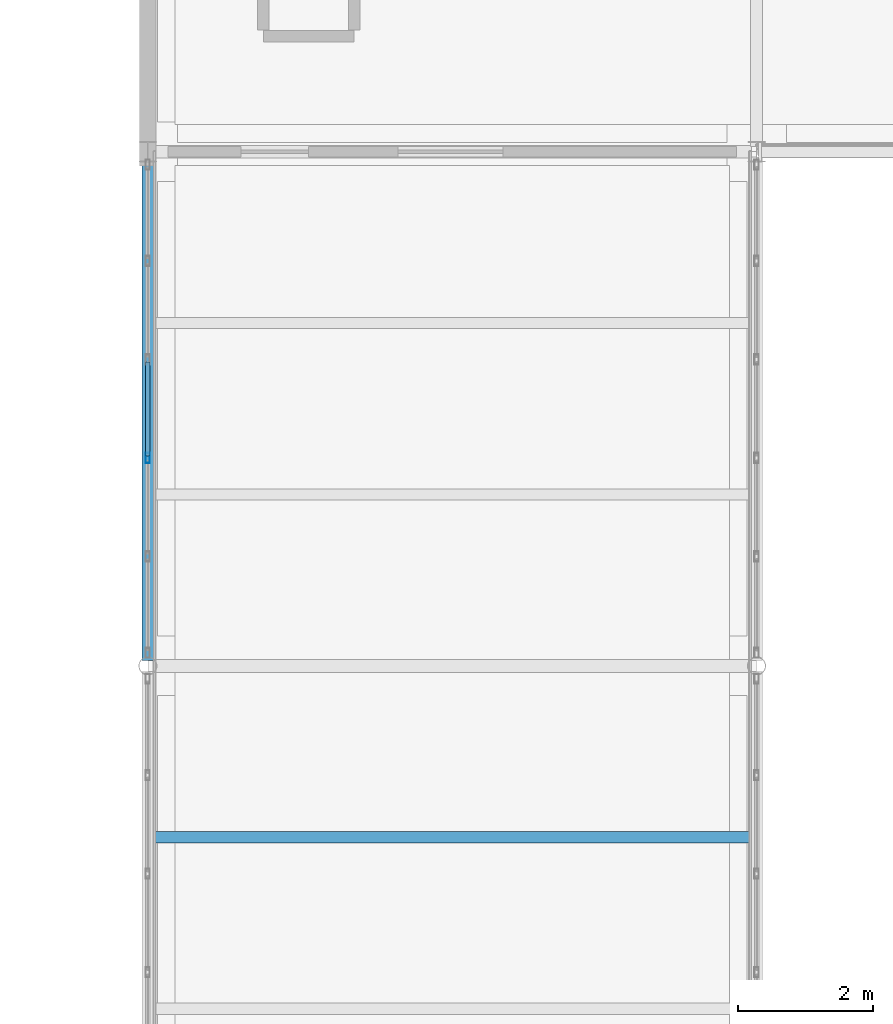
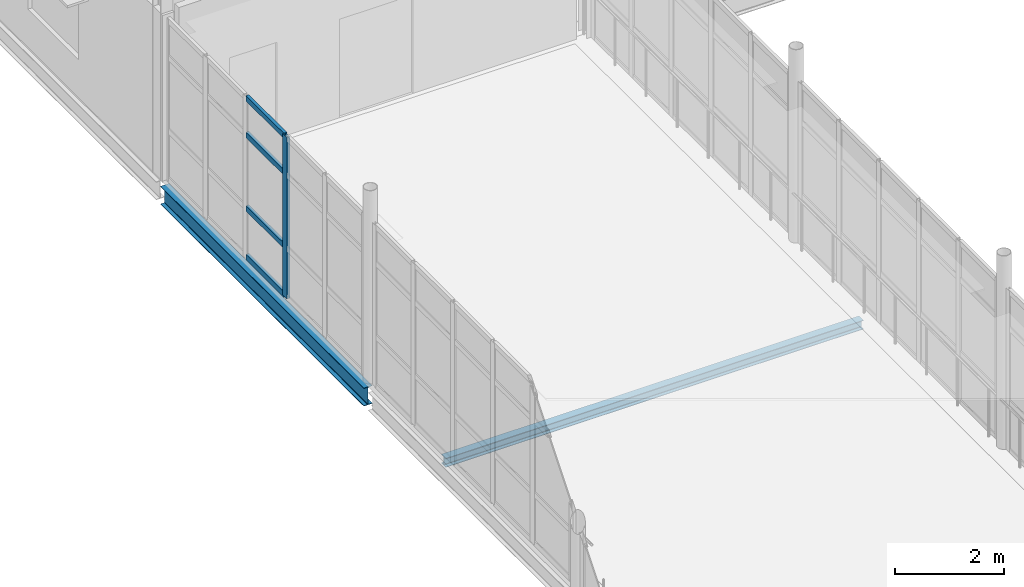
# One storey, part 73 of 174: 5 members, 2 beams, 1 element without a shape of its own.
"""IFC4 building model written with IfcOpenShell, lengths in metres."""

import ifcopenshell
import ifcopenshell.guid

model = None  # the IFC model being written
_history = None  # IfcOwnerHistory: only IFC2X3 demands one
_inside = {}  # id of a spatial element -> (the spatial element, [elements in it])
_under = {}  # id of a project, library or spatial element -> (it, [spatial elements below it])
_declared = {}  # id of a project -> (the project, [libraries it declares])
_typed = {}  # id of a type object -> (the type object, [elements of that type])
_made_of = {}  # id of a material, layer set ... -> (it, [elements and type objects made of it])


def new_model(schema):
    """Start an empty IFC model of exactly this schema.

    Asked for "IFC4X3", IfcOpenShell would pick the latest addendum, in which some entities
    have other attributes; the version numbers below select the first issue.
    IFC2X3 requires an IfcOwnerHistory on every rooted entity: one is made here for all.
    """
    global model, _history
    if schema == "IFC4X3":
        model = ifcopenshell.file(schema_version=(4, 3, 0, 0))
    else:
        model = ifcopenshell.file(schema=schema)
    _inside.clear()
    _under.clear()
    _declared.clear()
    _typed.clear()
    _made_of.clear()
    _history = None
    if model.schema == "IFC2X3":
        org = make("IfcOrganization", Name="unknown")
        user = make(
            "IfcPersonAndOrganization",
            ThePerson=make("IfcPerson", FamilyName="unknown"),
            TheOrganization=org,
        )
        app = make(
            "IfcApplication",
            ApplicationDeveloper=org,
            Version="unknown",
            ApplicationFullName="unknown",
            ApplicationIdentifier="unknown",
        )
        _history = make(
            "IfcOwnerHistory",
            OwningUser=user,
            OwningApplication=app,
            ChangeAction="ADDED",
            CreationDate=0,
        )
    return model


def make(cls, **values):
    """One entity of the class cls with the attributes given. An attribute that is None is left unset."""
    return model.create_entity(
        cls, **{name: value for name, value in values.items() if value is not None}
    )


def rooted(cls, **values):
    """An entity with a GlobalId (a new one), such as an element, a storey or a relation."""
    return make(cls, GlobalId=ifcopenshell.guid.new(), OwnerHistory=_history, **values)


def si_unit(unit_type, name, prefix=None):
    """IfcSIUnit, for example si_unit("LENGTHUNIT", "METRE", prefix="MILLI")."""
    return make("IfcSIUnit", UnitType=unit_type, Prefix=prefix, Name=name)


def assignment(units):
    """IfcUnitAssignment: the units of a project."""
    return None if units is None else make("IfcUnitAssignment", Units=units)


def point(xyz):
    """IfcCartesianPoint."""
    return None if xyz is None else make("IfcCartesianPoint", Coordinates=xyz)


def direction(xyz):
    """IfcDirection."""
    return None if xyz is None else make("IfcDirection", DirectionRatios=xyz)


def frame(location, z_axis=None, x_axis=None):
    """IfcAxis2Placement3D, a coordinate frame: its origin and axes. An axis left out is left unset."""
    return make(
        "IfcAxis2Placement3D",
        Location=point(location),
        Axis=direction(z_axis),
        RefDirection=direction(x_axis),
    )


def frame_2d(location, x_axis=None):
    """IfcAxis2Placement2D, a coordinate frame in the plane: its origin and x axis."""
    return make(
        "IfcAxis2Placement2D", Location=point(location), RefDirection=direction(x_axis)
    )


def origin():
    """The frame at (0, 0, 0) with its axes left unset."""
    return frame((0.0, 0.0, 0.0))


def origin_2d():
    """The frame at (0, 0) in the plane with its x axis left unset."""
    return frame_2d((0.0, 0.0))


def place(relative_to, where):
    """IfcLocalPlacement: puts the frame where relative to a parent placement (None: the world)."""
    return make(
        "IfcLocalPlacement", PlacementRelTo=relative_to, RelativePlacement=where
    )


def context(
    kind, dimensions, precision=None, world=None, true_north=None, identifier=None
):
    """IfcGeometricRepresentationContext, for example the 3D "Model" context."""
    return make(
        "IfcGeometricRepresentationContext",
        ContextIdentifier=identifier,
        ContextType=kind,
        CoordinateSpaceDimension=dimensions,
        Precision=precision,
        WorldCoordinateSystem=world,
        TrueNorth=true_north,
    )


def subcontext(parent, identifier, kind, view, scale=None):
    """IfcGeometricRepresentationSubContext, for example "Body" below "Model"."""
    return make(
        "IfcGeometricRepresentationSubContext",
        ContextIdentifier=identifier,
        ContextType=kind,
        ParentContext=parent,
        TargetScale=scale,
        TargetView=view,
    )


def project(units=None, contexts=None):
    """IfcProject with its units and contexts."""
    return rooted(
        "IfcProject",
        Name="project",
        RepresentationContexts=contexts,
        UnitsInContext=assignment(units),
    )


def spatial(cls, under=None, at=None, **own):
    """A site, building, storey or space (cls), placed at a placement, below another one or the project."""
    s = rooted(cls, ObjectPlacement=at, **own)
    if under is not None:
        _under.setdefault(under.id(), (under, []))[1].append(s)
    return s


def profile(cls, at=None, kind="AREA", **sizes):
    """A parametric profile (cls). Its sizes go by their IFC names, for example OverallWidth=200.0."""
    return make(cls, ProfileType=kind, Position=at, **sizes)


def hollow_rectangle(**sizes):
    """IfcRectangleHollowProfileDef."""
    return profile("IfcRectangleHollowProfileDef", **sizes)


def i_section(**sizes):
    """IfcIShapeProfileDef."""
    return profile("IfcIShapeProfileDef", **sizes)


def extrude(swept, where, along, depth):
    """IfcExtrudedAreaSolid: the profile swept, set in the frame where, extruded along a direction by depth."""
    return make(
        "IfcExtrudedAreaSolid",
        SweptArea=swept,
        Position=where,
        ExtrudedDirection=direction(along),
        Depth=depth,
    )


def shape(context_of_items, identifier, shape_type, items):
    """IfcShapeRepresentation: the items that make up one representation, for example the "Body"."""
    return make(
        "IfcShapeRepresentation",
        ContextOfItems=context_of_items,
        RepresentationIdentifier=identifier,
        RepresentationType=shape_type,
        Items=items,
    )


def material(Name=None, Category=None):
    """IfcMaterial."""
    return make("IfcMaterial", Name=Name, Category=Category)


def material_profile(
    of_material, cross_section, Name=None, Category=None, Priority=None
):
    """IfcMaterialProfile: a cross section and its material."""
    return make(
        "IfcMaterialProfile",
        Name=Name,
        Material=of_material,
        Profile=cross_section,
        Priority=Priority,
        Category=Category,
    )


def profile_set(profiles, Name=None, composite=None):
    """IfcMaterialProfileSet."""
    return make(
        "IfcMaterialProfileSet",
        Name=Name,
        MaterialProfiles=profiles,
        CompositeProfile=composite,
    )


def made_of(thing, what):
    """Note that an element or type object is made of a material, layer set ...; save() writes the relation."""
    if what is not None:
        _made_of.setdefault(what.id(), (what, []))[1].append(thing)
    return thing


def type_object(cls, material=None, **own):
    """A type object (cls), such as IfcWallType, which elements share."""
    return made_of(rooted(cls, **own), material)


def element(
    cls,
    number,
    at=None,
    inside=None,
    cuts=None,
    type_object=None,
    material=None,
    context=None,
    identifier="Body",
    shape_type=None,
    held_by="IfcProductDefinitionShape",
    body=None,
    shapes=None,
    **own,
):
    """One element of the class cls, such as IfcWall. Its Tag is "e" and its number.

    at: its placement. inside: the storey or other place that contains it. cuts: it is an
    opening in that element (IfcRelVoidsElement). A single representation is given by context,
    identifier, shape_type and body (its items); several are given by shapes. held_by: the class
    of the entity that holds the representations. save() writes the other relations.
    """
    e = rooted(cls, Tag="e%d" % number, ObjectPlacement=at, **own)
    if body is not None:
        shapes = [shape(context, identifier, shape_type, body)]
    if shapes is not None:
        e.Representation = make(held_by, Representations=shapes)
    if inside is not None:
        _inside.setdefault(inside.id(), (inside, []))[1].append(e)
    if cuts is not None:
        rooted(
            "IfcRelVoidsElement", RelatingBuildingElement=cuts, RelatedOpeningElement=e
        )
    if type_object is not None:
        _typed.setdefault(type_object.id(), (type_object, []))[1].append(e)
    return made_of(e, material)


def aggregate(whole, parts):
    """IfcRelAggregates: a whole, such as a stair, and the parts it consists of."""
    return rooted("IfcRelAggregates", RelatingObject=whole, RelatedObjects=parts)


def save(model, path):
    """Write the relations noted so far, then the file.

    IfcRelAggregates (storeys below a building ...), IfcRelContainedInSpatialStructure (elements
    in a storey), IfcRelDefinesByType, IfcRelAssociatesMaterial and IfcRelDeclares: one each for
    every whole, place, type object, material and project.
    """
    for whole, parts in _under.values():
        aggregate(whole, parts)
    for where, things in _inside.values():
        rooted(
            "IfcRelContainedInSpatialStructure",
            RelatedElements=things,
            RelatingStructure=where,
        )
    for kind, things in _typed.values():
        rooted("IfcRelDefinesByType", RelatedObjects=things, RelatingType=kind)
    for what, things in _made_of.values():
        rooted("IfcRelAssociatesMaterial", RelatedObjects=things, RelatingMaterial=what)
    for by, libraries in _declared.values():
        rooted("IfcRelDeclares", RelatingContext=by, RelatedDefinitions=libraries)
    model.write(path)


model = new_model("IFC4")

# Units and contexts
model_context = context("Model", 3, precision=1e-05, world=origin(), true_north=direction((0.0, 1.0)))
body_context = subcontext(model_context, "Body", "Model", "MODEL_VIEW")
ifc_project = project(units=[si_unit("LENGTHUNIT", "METRE"), si_unit("AREAUNIT", "SQUARE_METRE"), si_unit("VOLUMEUNIT", "CUBIC_METRE"), si_unit("PLANEANGLEUNIT", "RADIAN"), si_unit("MASSUNIT", "GRAM", prefix="KILO")], contexts=[model_context])

# Site, building, storey
site_placement = place(None, origin())
site = spatial("IfcSite", under=ifc_project, at=site_placement, CompositionType="ELEMENT")
building_placement = place(site_placement, origin())
building = spatial("IfcBuilding", under=site, at=building_placement, Name="Caisbarro Railhouse Central Library", CompositionType="ELEMENT")
storey_placement = place(building_placement, frame((0.0, 0.0, 5.0400390625)))
storey = spatial("IfcBuildingStorey", under=building, at=storey_placement, Name="L01", CompositionType="ELEMENT", Elevation=5.0400390625)

# Beams
ifc_material_1 = material(Name="Steel ASTM A572 Grade 50", Category="steel")
ifc_material_profile_1 = material_profile(ifc_material_1, i_section(OverallWidth=0.177978515625, OverallDepth=0.406982421875, WebThickness=0.0078125, FlangeThickness=0.0126953125, FilletRadius=0.01611328125, at=origin_2d()), Name="W410X60.0")
ifc_profile_set_1 = profile_set([ifc_material_profile_1], Name="Steel ASTM A572 Grade 50")
beam_type_1 = type_object("IfcBeamType", Name="BM-G10", PredefinedType="BEAM", material=ifc_profile_set_1)
beam_1_placement = place(storey_placement, frame((54.0, 76.080078125, -0.403564453125), z_axis=(0.0, 1.0, 0.0), x_axis=(-1.0, 0.0, 0.0)))
element("IfcBeam", 1, at=beam_1_placement, inside=storey, type_object=beam_type_1, Name="G10 beam L01 #1250", PredefinedType="BEAM", context=body_context, shape_type="SweptSolid", body=[
    extrude(i_section(OverallWidth=0.177978515625, OverallDepth=0.406982421875, WebThickness=0.0078125, FlangeThickness=0.0126953125, FilletRadius=0.01611328125, at=origin_2d()), origin(), (0.0, 0.0, 1.0), 7.43994140625),
])
ifc_material_profile_2 = material_profile(ifc_material_1, i_section(OverallWidth=0.1650390625, OverallDepth=0.200927734375, WebThickness=0.006103515625, FlangeThickness=0.01025390625, FilletRadius=0.010009765625, at=origin_2d()), Name="W200X35.9")
ifc_profile_set_2 = profile_set([ifc_material_profile_2], Name="Steel ASTM A572 Grade 50")
beam_type_2 = type_object("IfcBeamType", Name="BM-J06", PredefinedType="JOIST", material=ifc_profile_set_2)
beam_2_placement = place(storey_placement, frame((54.089111328125, 73.466796875, -0.300537109375), z_axis=(1.0, 0.0, 0.0), x_axis=(0.0, 1.0, 0.0)))
element("IfcBeam", 2, at=beam_2_placement, inside=storey, type_object=beam_type_2, Name="J06 beam L01 #1257", PredefinedType="JOIST", context=body_context, shape_type="SweptSolid", body=[
    extrude(i_section(OverallWidth=0.1650390625, OverallDepth=0.200927734375, WebThickness=0.006103515625, FlangeThickness=0.01025390625, FilletRadius=0.010009765625, at=origin_2d()), origin(), (0.0, 0.0, 1.0), 8.82177734375),
])

# Curtain wall, members
ifc_material_2 = material(Name="Anodised architectural aluminium", Category="aluminium")
curtain_wall_type = type_object("IfcCurtainWallType", Name="CW-CW03", PredefinedType="NOTDEFINED", material=ifc_material_2)
curtain_wall_placement = place(storey_placement, origin())
curtain_wall = element("IfcCurtainWall", 3, at=curtain_wall_placement, inside=storey, type_object=curtain_wall_type, Name="CW03 curtain wall L01 #196", PredefinedType="NOTDEFINED")
ifc_material_profile_3 = material_profile(ifc_material_2, hollow_rectangle(XDim=0.06494140625, YDim=0.14990234375, WallThickness=0.00390625, at=origin_2d()), Name="ALU-MUL-65X150")
ifc_profile_set_3 = profile_set([ifc_material_profile_3], Name="Anodised architectural aluminium")
member_type_1 = type_object("IfcMemberType", Name="CWM-M02", PredefinedType="MULLION", material=ifc_profile_set_3)
member_1_placement = place(storey_placement, frame((54.0, 79.072021484375, 0.0), z_axis=(0.0, 0.0, 1.0), x_axis=(-1.0, 0.0, 0.0)))
member_1 = element("IfcMember", 4, at=member_1_placement, type_object=member_type_1, Name="CW03 mullion 3", PredefinedType="MULLION", context=body_context, shape_type="SweptSolid", body=[
    extrude(hollow_rectangle(XDim=0.06494140625, YDim=0.14990234375, WallThickness=0.00390625, at=origin_2d()), origin(), (0.0, 0.0, 1.0), 3.60986328125),
])
ifc_material_profile_4 = material_profile(ifc_material_2, hollow_rectangle(XDim=0.06494140625, YDim=0.1201171875, WallThickness=0.00341796875, at=origin_2d()), Name="ALU-TRN-65X120")
ifc_profile_set_4 = profile_set([ifc_material_profile_4], Name="Anodised architectural aluminium")
member_type_2 = type_object("IfcMemberType", Name="CWT-T02", PredefinedType="USERDEFINED", material=ifc_profile_set_4)
member_2_placement = place(storey_placement, frame((54.0, 79.1044921875, 0.032470703125), z_axis=(0.0, 1.0, 0.0), x_axis=(-1.0, 0.0, 0.0)))
member_2 = element("IfcMember", 5, at=member_2_placement, type_object=member_type_2, Name="CW03 transom 3.1", ObjectType="TRANSOM", PredefinedType="USERDEFINED", context=body_context, shape_type="SweptSolid", body=[
    extrude(hollow_rectangle(XDim=0.06494140625, YDim=0.1201171875, WallThickness=0.00341796875, at=origin_2d()), origin(), (0.0, 0.0, 1.0), 1.39111328125),
])
member_3_placement = place(storey_placement, frame((54.0, 79.1044921875, 1.119873046875), z_axis=(0.0, 1.0, 0.0), x_axis=(-1.0, 0.0, 0.0)))
member_3 = element("IfcMember", 6, at=member_3_placement, type_object=member_type_2, Name="CW03 transom 3.2", ObjectType="TRANSOM", PredefinedType="USERDEFINED", context=body_context, shape_type="SweptSolid", body=[
    extrude(hollow_rectangle(XDim=0.06494140625, YDim=0.1201171875, WallThickness=0.00341796875, at=origin_2d()), origin(), (0.0, 0.0, 1.0), 1.39111328125),
])
member_4_placement = place(storey_placement, frame((54.0, 79.1044921875, 2.760009765625), z_axis=(0.0, 1.0, 0.0), x_axis=(-1.0, 0.0, 0.0)))
member_4 = element("IfcMember", 7, at=member_4_placement, type_object=member_type_2, Name="CW03 transom 3.3", ObjectType="TRANSOM", PredefinedType="USERDEFINED", context=body_context, shape_type="SweptSolid", body=[
    extrude(hollow_rectangle(XDim=0.06494140625, YDim=0.1201171875, WallThickness=0.00341796875, at=origin_2d()), origin(), (0.0, 0.0, 1.0), 1.39111328125),
])
member_5_placement = place(storey_placement, frame((54.0, 79.1044921875, 3.577392578125), z_axis=(0.0, 1.0, 0.0), x_axis=(-1.0, 0.0, 0.0)))
member_5 = element("IfcMember", 8, at=member_5_placement, type_object=member_type_2, Name="CW03 transom 3.4", ObjectType="TRANSOM", PredefinedType="USERDEFINED", context=body_context, shape_type="SweptSolid", body=[
    extrude(hollow_rectangle(XDim=0.06494140625, YDim=0.1201171875, WallThickness=0.00341796875, at=origin_2d()), origin(), (0.0, 0.0, 1.0), 1.39111328125),
])
aggregate(curtain_wall, [member_1, member_2, member_3, member_4, member_5])

save(model, "model.ifc")
